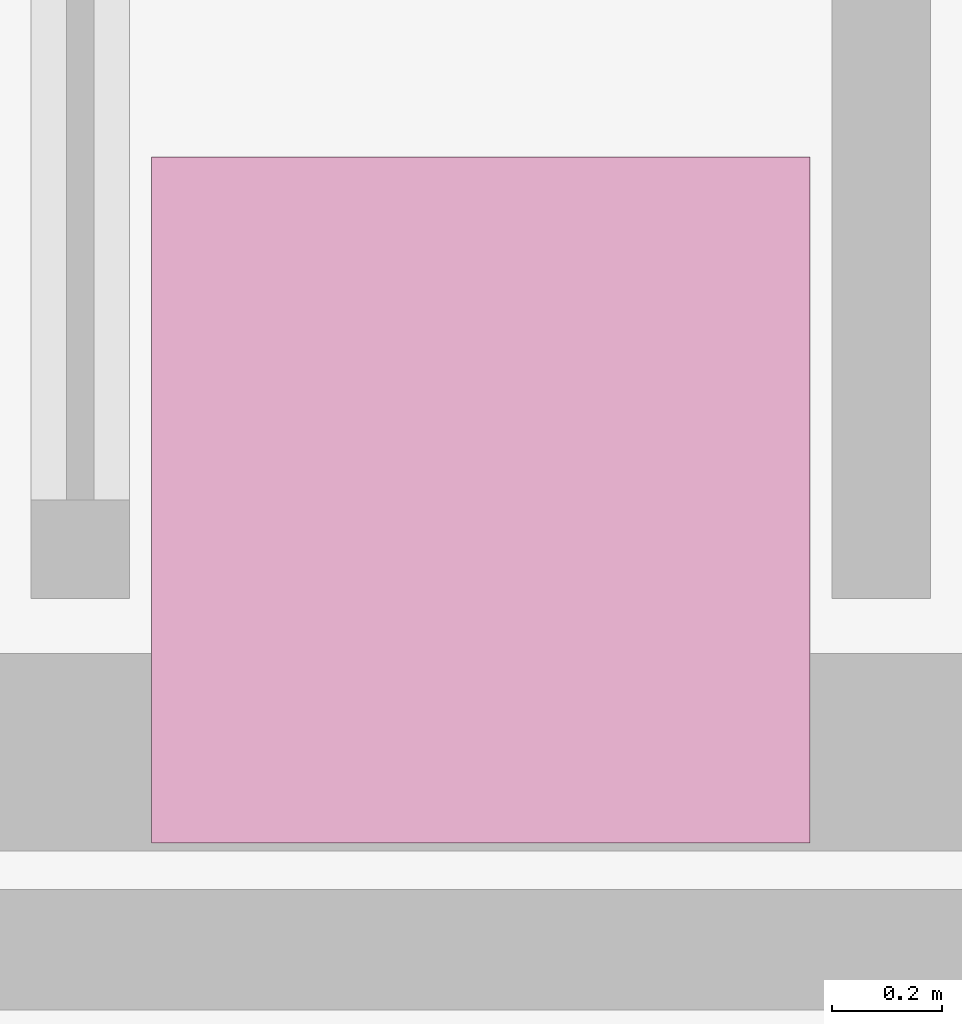
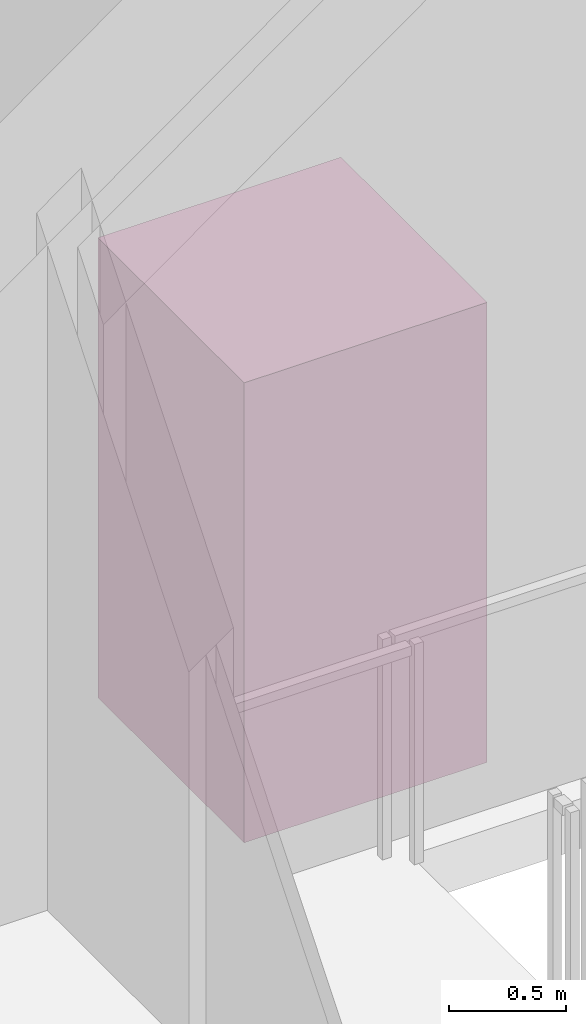
# One storey, part 5 of 5: 1 transport element.
"""IFC4 building model written with IfcOpenShell, lengths in metres."""

from ifc_helpers import new_model, si_unit, direction, frame, origin, origin_2d, place, context, subcontext, project, spatial, rectangle, extrude, source, transform, mapped, material, type_object, element, save


model = new_model("IFC4")

# Units and contexts
model_context = context("Model", 3, precision=1e-05, world=origin(), true_north=direction((0.0, 1.0)))
body_context = subcontext(model_context, "Body", "Model", "MODEL_VIEW")
ifc_project = project(units=[si_unit("LENGTHUNIT", "METRE"), si_unit("AREAUNIT", "SQUARE_METRE"), si_unit("VOLUMEUNIT", "CUBIC_METRE"), si_unit("PLANEANGLEUNIT", "RADIAN"), si_unit("MASSUNIT", "GRAM", prefix="KILO")], contexts=[model_context])

# Site, building, storey
site_placement = place(None, origin())
site = spatial("IfcSite", under=ifc_project, at=site_placement, CompositionType="ELEMENT")
building_placement = place(site_placement, origin())
building = spatial("IfcBuilding", under=site, at=building_placement, Name="Yunling Apex Tower", CompositionType="ELEMENT")
storey_placement = place(building_placement, frame((0.0, 0.0, 328.25)))
storey = spatial("IfcBuildingStorey", under=building, at=storey_placement, Name="C03", CompositionType="ELEMENT", Elevation=328.25)

# Transport element
ifc_material = material(Name="Silver anodised aluminium", Category="aluminium")
transport_element_type = type_object("IfcTransportElementType", Name="LF-POD-1", PredefinedType="ELEVATOR", material=ifc_material)
shared_shape = source(origin(), body_context, "Body", "SweptSolid", [
    extrude(rectangle(XDim=1.199951171875, YDim=1.25, at=origin_2d()), origin(), (0.0, 0.0, 1.0), 2.39990234375),
])
transport_element_placement = place(storey_placement, frame((-1.449951171875, 2.39990234375, 0.0), z_axis=(0.0, 0.0, 1.0), x_axis=(1.0, 0.0, 0.0)))
element("IfcTransportElement", 1, at=transport_element_placement, inside=storey, type_object=transport_element_type, Name="SVL-C1 Lift", PredefinedType="ELEVATOR", context=body_context, shape_type="MappedRepresentation", body=[
    mapped(shared_shape, transform((0.0, 0.0, 0.0), scale=1.0)),
])

save(model, "model.ifc")
